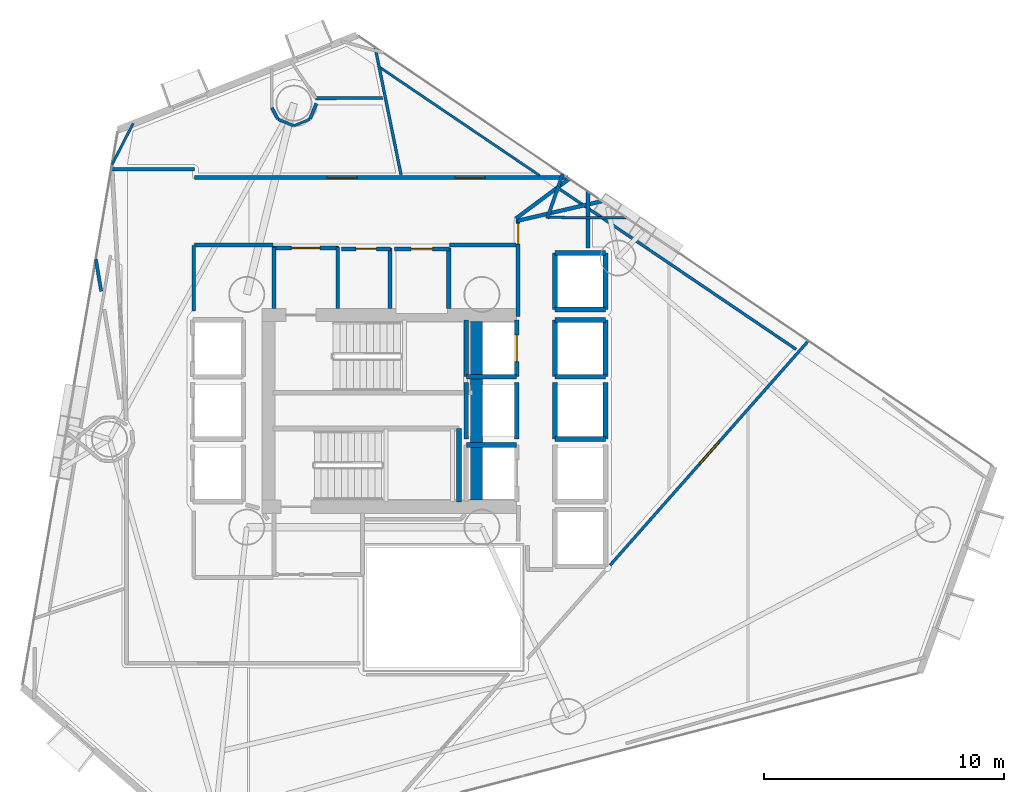
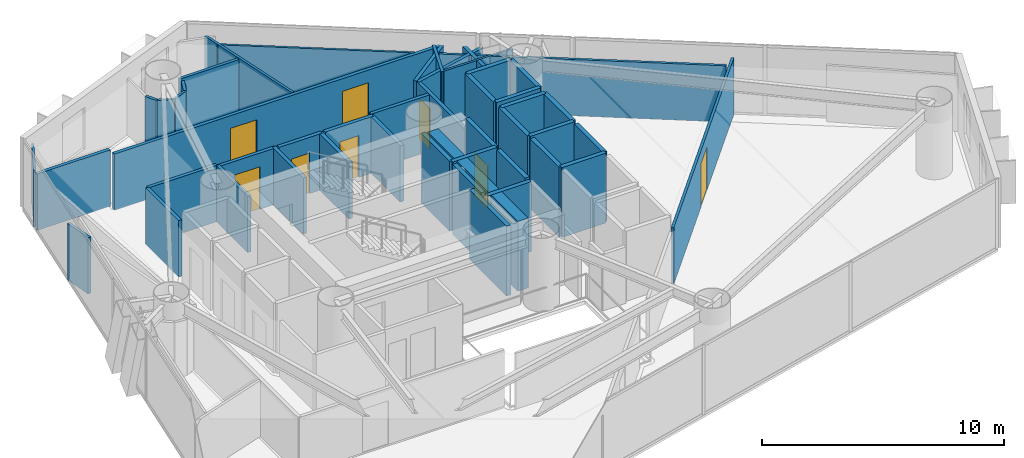
# One storey, part 17 of 21: 48 walls, 8 doors, 8 openings.
"""IFC4 building model written with IfcOpenShell, lengths in metres."""

from ifc_helpers import new_model, si_unit, direction, frame, frame_2d, origin, place, context, subcontext, project, spatial, rectangle, extrude, material, layer, layer_set, type_object, element, fill, save


model = new_model("IFC4")

# Units and contexts
model_context = context("Model", 3, precision=1e-05, world=origin(), true_north=direction((0.0, 1.0)))
body_context = subcontext(model_context, "Body", "Model", "MODEL_VIEW")
ifc_project = project(units=[si_unit("LENGTHUNIT", "METRE"), si_unit("AREAUNIT", "SQUARE_METRE"), si_unit("VOLUMEUNIT", "CUBIC_METRE"), si_unit("PLANEANGLEUNIT", "RADIAN"), si_unit("MASSUNIT", "GRAM", prefix="KILO")], contexts=[model_context])

# Site, building, storey
site_placement = place(None, origin())
site = spatial("IfcSite", under=ifc_project, at=site_placement, CompositionType="ELEMENT")
building_placement = place(site_placement, origin())
building = spatial("IfcBuilding", under=site, at=building_placement, Name="Qianvela Tower", CompositionType="ELEMENT")
storey_placement = place(building_placement, frame((0.0, 0.0, 108.89990234375)))
storey = spatial("IfcBuildingStorey", under=building, at=storey_placement, Name="L27", CompositionType="ELEMENT", Elevation=108.89990234375)

# Walls
ifc_material_1 = material(Name="Concrete C60", Category="concrete")
ifc_layer_1 = layer(ifc_material_1, 0.550048828125)
ifc_layer_set_1 = layer_set([ifc_layer_1], Name="Concrete C60")
wall_type_1 = type_object("IfcWallType", Name="WT-CORE-550", PredefinedType="SHEAR", material=ifc_layer_set_1)
wall_1_placement = place(storey_placement, frame((38.179931640625, 24.97998046875, 0.0), z_axis=(0.0, 0.0, 1.0), x_axis=(0.0, 1.0, 0.0)))
element("IfcWall", 1, at=wall_1_placement, inside=storey, type_object=wall_type_1, Name="L27 East Spine Core Shear Wall", PredefinedType="SHEAR", context=body_context, shape_type="SweptSolid", body=[
    extrude(rectangle(XDim=7.43994140625, YDim=0.5, at=frame_2d((3.719970703125, 0.0))), origin(), (0.0, 0.0, 1.0), 3.52001953125),
])
ifc_material_2 = material(Name="Fire-Rated Gypsum and Concrete Block", Category="concrete")
ifc_layer_2 = layer(ifc_material_2, 0.159912109375)
ifc_layer_set_2 = layer_set([ifc_layer_2], Name="Fire-Rated Gypsum and Concrete Block")
wall_type_2 = type_object("IfcWallType", Name="WT-CORR-160", PredefinedType="PARTITIONING", material=ifc_layer_set_2)
wall_2_placement = place(storey_placement, frame((29.73095703125, 32.9580078125, 0.0), z_axis=(0.0, 0.0, 1.0), x_axis=(0.0, 1.0, 0.0)))
element("IfcWall", 2, at=wall_2_placement, inside=storey, type_object=wall_type_2, Name="L27 Partition 2", PredefinedType="PARTITIONING", context=body_context, shape_type="SweptSolid", body=[
    extrude(rectangle(XDim=2.56201171875, YDim=0.159912109375, at=frame_2d((1.281005859375, 0.0))), origin(), (0.0, 0.0, 1.0), 2.840087890625),
])

# Wall, opening, door
wall_3_placement = place(storey_placement, frame((29.699951171875, 35.489013671875, 0.0), z_axis=(0.0, 0.0, 1.0), x_axis=(1.0, 0.0, 0.0)))
wall_3 = element("IfcWall", 3, at=wall_3_placement, inside=storey, type_object=wall_type_2, Name="L27 Partition 3", PredefinedType="PARTITIONING", context=body_context, shape_type="SweptSolid", body=[
    extrude(rectangle(XDim=2.719970703125, YDim=0.159912109375, at=frame_2d((1.35986328125, 0.0))), origin(), (0.0, 0.0, 1.0), 2.840087890625),
])
opening_1_placement = place(wall_3_placement, frame((0.760009765625, 0.0, 0.0)))
opening_1 = element("IfcOpeningElement", 4, at=opening_1_placement, cuts=wall_3, Name="Opening D-LB1", PredefinedType="OPENING", context=body_context, shape_type="SweptSolid", body=[
    extrude(rectangle(XDim=1.199951171875, YDim=2.14990234375, at=frame_2d((0.60009765625, 1.074951171875))), frame((0.0, 0.08984375, 0.0), z_axis=(0.0, -1.0, 0.0), x_axis=(1.0, 0.0, 0.0)), (0.0, 0.0, 1.0), 0.179931640625),
])
ifc_material_3 = material(Name="Glazed Fire-Rated Steel Frame", Category="steel")
door_type_1 = type_object("IfcDoorType", Name="DT-LOBBY-FD90", OperationType="NOTDEFINED", PredefinedType="DOOR", material=ifc_material_3)
door_1_placement = place(opening_1_placement, origin())
door_1 = element("IfcDoor", 5, at=door_1_placement, inside=storey, type_object=door_type_1, Name="L27 Door L27 Firefighting Lobby North to L27 Floor Corridor", OperationType="SINGLE_SWING_RIGHT", OverallHeight=2.14990234375, OverallWidth=1.199951171875, PredefinedType="DOOR", context=body_context, shape_type="SweptSolid", body=[
    extrude(rectangle(XDim=1.199951171875, YDim=2.14990234375, at=frame_2d((0.60009765625, 1.074951171875))), frame((0.0, 0.02490234375, 0.0), z_axis=(0.0, -1.0, 0.0), x_axis=(1.0, 0.0, 0.0)), (0.0, 0.0, 1.0), 0.050048828125),
])
fill(opening_1, door_1)

# Wall
wall_4_placement = place(storey_placement, frame((32.388916015625, 35.52001953125, 0.0), z_axis=(0.0, 0.0, 1.0), x_axis=(0.0, -1.0, 0.0)))
element("IfcWall", 6, at=wall_4_placement, inside=storey, type_object=wall_type_2, Name="L27 Partition 4", PredefinedType="PARTITIONING", context=body_context, shape_type="SweptSolid", body=[
    extrude(rectangle(XDim=2.56201171875, YDim=0.159912109375, at=frame_2d((1.281005859375, 0.0))), origin(), (0.0, 0.0, 1.0), 2.840087890625),
])

# Wall, opening, door
wall_5_placement = place(storey_placement, frame((39.910888671875, 32.639892578125, 0.0), z_axis=(0.0, 0.0, 1.0), x_axis=(0.0, 1.0, 0.0)))
wall_5 = element("IfcWall", 7, at=wall_5_placement, inside=storey, type_object=wall_type_2, Name="L27 Partition 10", PredefinedType="PARTITIONING", context=body_context, shape_type="SweptSolid", body=[
    extrude(rectangle(XDim=4.010009765625, YDim=0.159912109375, at=frame_2d((2.0048828125, 0.0))), origin(), (0.0, 0.0, 1.0), 2.840087890625),
])
opening_2_placement = place(wall_5_placement, frame((3.010009765625, 0.0, 0.0)))
opening_2 = element("IfcOpeningElement", 8, at=opening_2_placement, cuts=wall_5, Name="Opening D-LB2", PredefinedType="OPENING", context=body_context, shape_type="SweptSolid", body=[
    extrude(rectangle(XDim=0.860107421875, YDim=2.050048828125, at=frame_2d((0.43017578125, 1.02490234375))), frame((0.0, 0.08984375, 0.0), z_axis=(0.0, -1.0, 0.0), x_axis=(1.0, 0.0, 0.0)), (0.0, 0.0, 1.0), 0.179931640625),
])
ifc_material_4 = material(Name="Insulated Steel Fire Door Q355B", Category="steel")
door_type_2 = type_object("IfcDoorType", Name="DT-LOBBY-FD90-860", OperationType="NOTDEFINED", PredefinedType="DOOR", material=ifc_material_4)
door_2_placement = place(opening_2_placement, origin())
door_2 = element("IfcDoor", 9, at=door_2_placement, inside=storey, type_object=door_type_2, Name="L27 Door L27 Lift Lobby to L27 Floor Corridor", OperationType="SINGLE_SWING_LEFT", OverallHeight=2.050048828125, OverallWidth=0.860107421875, PredefinedType="DOOR", context=body_context, shape_type="SweptSolid", body=[
    extrude(rectangle(XDim=0.860107421875, YDim=2.050048828125, at=frame_2d((0.43017578125, 1.02490234375))), frame((0.0, 0.02490234375, 0.0), z_axis=(0.0, -1.0, 0.0), x_axis=(1.0, 0.0, 0.0)), (0.0, 0.0, 1.0), 0.050048828125),
])
fill(opening_2, door_2)

# Walls
wall_6_placement = place(storey_placement, frame((39.8798828125, 36.618896484375, 0.0), z_axis=(0.0, 0.0, 1.0), x_axis=(0.973960950435, 0.2267158288, 0.0)))
element("IfcWall", 10, at=wall_6_placement, inside=storey, type_object=wall_type_2, Name="L27 Partition 11", PredefinedType="PARTITIONING", context=body_context, shape_type="SweptSolid", body=[
    extrude(rectangle(XDim=3.620361328125, YDim=0.159912109375, at=frame_2d((1.81005859375, 0.0))), origin(), (0.0, 0.0, 1.0), 2.840087890625),
])
wall_7_placement = place(storey_placement, frame((42.819091796875, 37.857177734375, 0.0), z_axis=(0.0, 0.0, 1.0), x_axis=(0.0, -1.0, 0.0)))
element("IfcWall", 11, at=wall_7_placement, inside=storey, type_object=wall_type_2, Name="L27 Partition 12", PredefinedType="PARTITIONING", context=body_context, shape_type="SweptSolid", body=[
    extrude(rectangle(XDim=2.377197265625, YDim=0.159912109375, at=frame_2d((1.1884765625, 0.0))), origin(), (0.0, 0.0, 1.0), 2.840087890625),
])
wall_8_placement = place(storey_placement, frame((22.93359375, 38.76904296875, 0.0), z_axis=(0.0, 0.0, 1.0), x_axis=(1.0, 0.0, 0.0)))
element("IfcWall", 12, at=wall_8_placement, inside=storey, type_object=wall_type_2, Name="L27 Partition 41", PredefinedType="PARTITIONING", context=body_context, shape_type="SweptSolid", body=[
    extrude(rectangle(XDim=3.486328125, YDim=0.159912109375, at=frame_2d((1.7431640625, 0.0))), origin(), (0.0, 0.0, 1.0), 2.840087890625),
])

# Wall, openings, doors
wall_9_placement = place(storey_placement, frame((26.419921875, 38.4189453125, 0.0), z_axis=(0.0, 0.0, 1.0), x_axis=(1.0, 0.0, 0.0)))
wall_9 = element("IfcWall", 13, at=wall_9_placement, inside=storey, type_object=wall_type_2, Name="L27 Partition 42", PredefinedType="PARTITIONING", context=body_context, shape_type="SweptSolid", body=[
    extrude(rectangle(XDim=15.56005859375, YDim=0.159912109375, at=frame_2d((7.780029296875, 0.0))), origin(), (0.0, 0.0, 1.0), 2.840087890625),
])
opening_3_placement = place(wall_9_placement, frame((10.865478515625, 0.0, 0.0)))
opening_3 = element("IfcOpeningElement", 14, at=opening_3_placement, cuts=wall_9, Name="Opening D-LG1", PredefinedType="OPENING", context=body_context, shape_type="SweptSolid", body=[
    extrude(rectangle(XDim=1.25, YDim=2.199951171875, at=frame_2d((0.625, 1.10009765625))), frame((0.0, 0.08984375, 0.0), z_axis=(0.0, -1.0, 0.0), x_axis=(1.0, 0.0, 0.0)), (0.0, 0.0, 1.0), 0.179931640625),
])
opening_4_placement = place(wall_9_placement, frame((5.531982421875, 0.0, 0.0)))
opening_4 = element("IfcOpeningElement", 15, at=opening_4_placement, cuts=wall_9, Name="Opening D-LG1", PredefinedType="OPENING", context=body_context, shape_type="SweptSolid", body=[
    extrude(rectangle(XDim=1.25, YDim=2.199951171875, at=frame_2d((0.625, 1.10009765625))), frame((0.0, 0.08984375, 0.0), z_axis=(0.0, -1.0, 0.0), x_axis=(1.0, 0.0, 0.0)), (0.0, 0.0, 1.0), 0.179931640625),
])
ifc_material_5 = material(Name="Anodised Aluminium Acoustic Glass Door", Category="aluminium")
door_type_3 = type_object("IfcDoorType", Name="DT-LOUNGE-1250", OperationType="NOTDEFINED", PredefinedType="DOOR", material=ifc_material_5)
door_3_placement = place(opening_3_placement, origin())
door_3 = element("IfcDoor", 16, at=door_3_placement, inside=storey, type_object=door_type_3, Name="L27 Door Quiet Desk Workspace L27-02 to L27 Floor Corridor", OperationType="SINGLE_SWING_RIGHT", OverallHeight=2.199951171875, OverallWidth=1.25, PredefinedType="DOOR", context=body_context, shape_type="SweptSolid", body=[
    extrude(rectangle(XDim=1.25, YDim=2.199951171875, at=frame_2d((0.625, 1.10009765625))), frame((0.0, 0.02490234375, 0.0), z_axis=(0.0, -1.0, 0.0), x_axis=(1.0, 0.0, 0.0)), (0.0, 0.0, 1.0), 0.050048828125),
])
fill(opening_3, door_3)
door_4_placement = place(opening_4_placement, origin())
door_4 = element("IfcDoor", 17, at=door_4_placement, inside=storey, type_object=door_type_3, Name="L27 Door Academic Cellular Office L27-03 to L27 Floor Corridor", OperationType="SINGLE_SWING_LEFT", OverallHeight=2.199951171875, OverallWidth=1.25, PredefinedType="DOOR", context=body_context, shape_type="SweptSolid", body=[
    extrude(rectangle(XDim=1.25, YDim=2.199951171875, at=frame_2d((0.625, 1.10009765625))), frame((0.0, 0.02490234375, 0.0), z_axis=(0.0, -1.0, 0.0), x_axis=(1.0, 0.0, 0.0)), (0.0, 0.0, 1.0), 0.050048828125),
])
fill(opening_4, door_4)

# Walls
wall_10_placement = place(storey_placement, frame((42.05322265625, 38.378662109375, 0.0), z_axis=(0.0, 0.0, 1.0), x_axis=(-0.802246834953, -0.596992475504, 0.0)))
element("IfcWall", 18, at=wall_10_placement, inside=storey, type_object=wall_type_2, Name="L27 Partition 44", PredefinedType="PARTITIONING", context=body_context, shape_type="SweptSolid", body=[
    extrude(rectangle(XDim=2.79638671875, YDim=0.159912109375, at=frame_2d((1.398193359375, 0.0))), origin(), (0.0, 0.0, 1.0), 2.840087890625),
])
wall_11_placement = place(storey_placement, frame((39.818115234375, 35.611083984375, 0.0), z_axis=(0.0, 0.0, 1.0), x_axis=(-1.0, 0.0, 0.0)))
element("IfcWall", 19, at=wall_11_placement, inside=storey, type_object=wall_type_2, Name="L27 Partition 46 seg 1", PredefinedType="PARTITIONING", context=body_context, shape_type="SweptSolid", body=[
    extrude(rectangle(XDim=2.76806640625, YDim=0.159912109375, at=frame_2d((1.384033203125, 0.0))), origin(), (0.0, 0.0, 1.0), 2.840087890625),
])
wall_12_placement = place(storey_placement, frame((29.699951171875, 35.611083984375, 0.0), z_axis=(0.0, 0.0, 1.0), x_axis=(-1.0, 0.0, 0.0)))
element("IfcWall", 20, at=wall_12_placement, inside=storey, type_object=wall_type_2, Name="L27 Partition 46 seg 4", PredefinedType="PARTITIONING", context=body_context, shape_type="SweptSolid", body=[
    extrude(rectangle(XDim=3.280029296875, YDim=0.159912109375, at=frame_2d((1.64013671875, 0.0))), origin(), (0.0, 0.0, 1.0), 2.840087890625),
])
wall_13_placement = place(storey_placement, frame((26.388916015625, 35.580078125, 0.0), z_axis=(0.0, 0.0, 1.0), x_axis=(0.0, -1.0, 0.0)))
element("IfcWall", 21, at=wall_13_placement, inside=storey, type_object=wall_type_2, Name="L27 Partition 47", PredefinedType="PARTITIONING", context=body_context, shape_type="SweptSolid", body=[
    extrude(rectangle(XDim=2.71044921875, YDim=0.159912109375, at=frame_2d((1.355224609375, 0.0))), origin(), (0.0, 0.0, 1.0), 2.840087890625),
])
ifc_material_6 = material(Name="Lightweight Gypsum Room Partition")
ifc_layer_3 = layer(ifc_material_6, 0.10498046875)
ifc_layer_set_3 = layer_set([ifc_layer_3], Name="Lightweight Gypsum Room Partition")
wall_type_3 = type_object("IfcWallType", Name="WT-PART-105", PredefinedType="PARTITIONING", material=ifc_layer_set_3)
wall_14_placement = place(storey_placement, frame((44.45361328125, 36.743408203125, 0.0), z_axis=(0.0, 0.0, 1.0), x_axis=(-0.999986322379, 0.005230205958, 0.0)))
element("IfcWall", 22, at=wall_14_placement, inside=storey, type_object=wall_type_3, Name="L27 Partition 77", PredefinedType="PARTITIONING", context=body_context, shape_type="SweptSolid", body=[
    extrude(rectangle(XDim=3.36083984375, YDim=0.10498046875, at=frame_2d((1.680419921875, 0.0))), origin(), (0.0, 0.0, 1.0), 2.840087890625),
])
wall_15_placement = place(storey_placement, frame((34.05224609375, 43.079833984375, 0.0), z_axis=(0.0, 0.0, 1.0), x_axis=(0.827934826591, -0.560824324471, 0.0)))
element("IfcWall", 23, at=wall_15_placement, inside=storey, type_object=wall_type_3, Name="L27 Partition 83", PredefinedType="PARTITIONING", context=body_context, shape_type="SweptSolid", body=[
    extrude(rectangle(XDim=8.158447265625, YDim=0.10498046875, at=frame_2d((4.0791015625, 0.0))), origin(), (0.0, 0.0, 1.0), 2.840087890625),
])
wall_16_placement = place(storey_placement, frame((22.988037109375, 38.96826171875, 0.0), z_axis=(0.0, 0.0, 1.0), x_axis=(0.456105833623, 0.889925541006, 0.0)))
element("IfcWall", 24, at=wall_16_placement, inside=storey, type_object=wall_type_3, Name="L27 Partition 86", PredefinedType="PARTITIONING", context=body_context, shape_type="SweptSolid", body=[
    extrude(rectangle(XDim=1.927978515625, YDim=0.10498046875, at=frame_2d((0.9638671875, 0.0))), origin(), (0.0, 0.0, 1.0), 2.840087890625),
])
wall_17_placement = place(storey_placement, frame((30.575927734375, 40.58251953125, 0.0), z_axis=(0.0, 0.0, 1.0), x_axis=(0.923935648299, 0.382547928764, 0.0)))
element("IfcWall", 25, at=wall_17_placement, inside=storey, type_object=wall_type_3, Name="L27 Partition 98", PredefinedType="PARTITIONING", context=body_context, shape_type="SweptSolid", body=[
    extrude(rectangle(XDim=0.6962890625, YDim=0.10498046875, at=frame_2d((0.34814453125, 0.0))), origin(), (0.0, 0.0, 1.0), 2.840087890625),
])

# Wall, opening, door
ifc_material_7 = material(Name="Insulated Gypsum Stud Partition")
ifc_layer_4 = layer(ifc_material_7, 0.1201171875)
ifc_layer_set_4 = layer_set([ifc_layer_4], Name="Insulated Gypsum Stud Partition")
wall_type_4 = type_object("IfcWallType", Name="WT-PART-120", PredefinedType="PARTITIONING", material=ifc_layer_set_4)
wall_18_placement = place(storey_placement, frame((43.74267578125, 22.263916015625, 0.0), z_axis=(0.0, 0.0, 1.0), x_axis=(0.662202897959, 0.749324577159, 0.0)))
wall_18 = element("IfcWall", 26, at=wall_18_placement, inside=storey, type_object=wall_type_4, Name="L27 Partition 64", PredefinedType="PARTITIONING", context=body_context, shape_type="SweptSolid", body=[
    extrude(rectangle(XDim=12.498291015625, YDim=0.1201171875, at=frame_2d((6.2490234375, 0.0))), origin(), (0.0, 0.0, 1.0), 2.840087890625),
])
opening_5_placement = place(wall_18_placement, frame((5.6240234375, 0.0, 0.0)))
opening_5 = element("IfcOpeningElement", 27, at=opening_5_placement, cuts=wall_18, Name="Opening D-LG1", PredefinedType="OPENING", context=body_context, shape_type="SweptSolid", body=[
    extrude(rectangle(XDim=1.25, YDim=2.199951171875, at=frame_2d((0.625, 1.10009765625))), frame((0.0, 0.070068359375, 0.0), z_axis=(0.0, -1.0, 0.0), x_axis=(1.0, 0.0, 0.0)), (0.0, 0.0, 1.0), 0.14013671875),
])
door_5_placement = place(opening_5_placement, origin())
door_5 = element("IfcDoor", 28, at=door_5_placement, inside=storey, type_object=door_type_3, Name="L27 Door Academic Cellular Office L27-01C to Quiet Desk Workspace L27-01B", OperationType="SINGLE_SWING_RIGHT", OverallHeight=2.199951171875, OverallWidth=1.25, PredefinedType="DOOR", context=body_context, shape_type="SweptSolid", body=[
    extrude(rectangle(XDim=1.25, YDim=2.199951171875, at=frame_2d((0.625, 1.10009765625))), frame((0.0, 0.02490234375, 0.0), z_axis=(0.0, -1.0, 0.0), x_axis=(1.0, 0.0, 0.0)), (0.0, 0.0, 1.0), 0.050048828125),
])
fill(opening_5, door_5)

# Walls
wall_19_placement = place(storey_placement, frame((41.650146484375, 37.93310546875, 0.0), z_axis=(0.0, 0.0, 1.0), x_axis=(0.827941747022, -0.560814107827, 0.0)))
element("IfcWall", 29, at=wall_19_placement, inside=storey, type_object=wall_type_4, Name="L27 Partition 79", PredefinedType="PARTITIONING", context=body_context, shape_type="SweptSolid", body=[
    extrude(rectangle(XDim=11.89501953125, YDim=0.1201171875, at=frame_2d((5.947509765625, 0.0))), origin(), (0.0, 0.0, 1.0), 2.840087890625),
])
wall_20_placement = place(storey_placement, frame((35.029052734375, 38.5361328125, 0.0), z_axis=(0.0, 0.0, 1.0), x_axis=(-0.198965568746, 0.980006480822, 0.0)))
element("IfcWall", 30, at=wall_20_placement, inside=storey, type_object=wall_type_4, Name="L27 Partition 82", PredefinedType="PARTITIONING", context=body_context, shape_type="SweptSolid", body=[
    extrude(rectangle(XDim=5.435791015625, YDim=0.1201171875, at=frame_2d((2.7177734375, 0.0))), origin(), (0.0, 0.0, 1.0), 2.840087890625),
])
wall_21_placement = place(storey_placement, frame((29.90869140625, 40.848876953125, 0.0), z_axis=(0.0, 0.0, 1.0), x_axis=(0.923935648299, -0.382547928764, 0.0)))
element("IfcWall", 31, at=wall_21_placement, inside=storey, type_object=wall_type_4, Name="L27 Partition 97", PredefinedType="PARTITIONING", context=body_context, shape_type="SweptSolid", body=[
    extrude(rectangle(XDim=0.6962890625, YDim=0.1201171875, at=frame_2d((0.34814453125, 0.0))), origin(), (0.0, 0.0, 1.0), 2.840087890625),
])

# Wall, opening, door
ifc_material_8 = material(Name="Moisture-Resistant Acoustic Plumbing Wall")
ifc_layer_5 = layer(ifc_material_8, 0.175048828125)
ifc_layer_set_5 = layer_set([ifc_layer_5], Name="Moisture-Resistant Acoustic Plumbing Wall")
wall_type_5 = type_object("IfcWallType", Name="WT-PLUMB-175", PredefinedType="PLUMBINGWALL", material=ifc_layer_set_5)
wall_22_placement = place(storey_placement, frame((32.550048828125, 35.448974609375, 0.0), z_axis=(0.0, 0.0, 1.0), x_axis=(1.0, 0.0, 0.0)))
wall_22 = element("IfcWall", 32, at=wall_22_placement, inside=storey, type_object=wall_type_5, Name="L27 Partition 20", PredefinedType="PLUMBINGWALL", context=body_context, shape_type="SweptSolid", body=[
    extrude(rectangle(XDim=2.050048828125, YDim=0.175048828125, at=frame_2d((1.02490234375, 0.0))), origin(), (0.0, 0.0, 1.0), 2.840087890625),
])
opening_6_placement = place(wall_22_placement, frame((0.594970703125, 0.0, 0.0)))
opening_6 = element("IfcOpeningElement", 33, at=opening_6_placement, cuts=wall_22, Name="Opening D-WC1", PredefinedType="OPENING", context=body_context, shape_type="SweptSolid", body=[
    extrude(rectangle(XDim=0.860107421875, YDim=2.050048828125, at=frame_2d((0.43017578125, 1.02490234375))), frame((0.0, 0.097412109375, 0.0), z_axis=(0.0, -1.0, 0.0), x_axis=(1.0, 0.0, 0.0)), (0.0, 0.0, 1.0), 0.195068359375),
])
ifc_material_9 = material(Name="Moisture-Sealed Acoustic Timber Door", Category="wood")
door_type_4 = type_object("IfcDoorType", Name="DT-WC-860", OperationType="NOTDEFINED", PredefinedType="DOOR", material=ifc_material_9)
door_6_placement = place(opening_6_placement, origin())
door_6 = element("IfcDoor", 34, at=door_6_placement, inside=storey, type_object=door_type_4, Name="L27 Door L27 Accessible WC to L27 Floor Corridor", OperationType="SINGLE_SWING_RIGHT", OverallHeight=2.050048828125, OverallWidth=0.860107421875, PredefinedType="DOOR", context=body_context, shape_type="SweptSolid", body=[
    extrude(rectangle(XDim=0.860107421875, YDim=2.050048828125, at=frame_2d((0.43017578125, 1.02490234375))), frame((0.0, 0.02490234375, 0.0), z_axis=(0.0, -1.0, 0.0), x_axis=(1.0, 0.0, 0.0)), (0.0, 0.0, 1.0), 0.050048828125),
])
fill(opening_6, door_6)

# Wall
wall_23_placement = place(storey_placement, frame((34.569091796875, 35.47998046875, 0.0), z_axis=(0.0, 0.0, 1.0), x_axis=(0.0, -1.0, 0.0)))
element("IfcWall", 35, at=wall_23_placement, inside=storey, type_object=wall_type_5, Name="L27 Partition 21", PredefinedType="PLUMBINGWALL", context=body_context, shape_type="SweptSolid", body=[
    extrude(rectangle(XDim=2.52197265625, YDim=0.175048828125, at=frame_2d((1.260986328125, 0.0))), origin(), (0.0, 0.0, 1.0), 2.840087890625),
])

# Wall, opening, door
wall_24_placement = place(storey_placement, frame((34.75, 35.448974609375, 0.0), z_axis=(0.0, 0.0, 1.0), x_axis=(1.0, 0.0, 0.0)))
wall_24 = element("IfcWall", 36, at=wall_24_placement, inside=storey, type_object=wall_type_5, Name="L27 Partition 24", PredefinedType="PLUMBINGWALL", context=body_context, shape_type="SweptSolid", body=[
    extrude(rectangle(XDim=2.300048828125, YDim=0.175048828125, at=frame_2d((1.14990234375, 0.0))), origin(), (0.0, 0.0, 1.0), 2.840087890625),
])
opening_7_placement = place(wall_24_placement, frame((0.699951171875, 0.0, 0.0)))
opening_7 = element("IfcOpeningElement", 37, at=opening_7_placement, cuts=wall_24, Name="Opening D-KT1", PredefinedType="OPENING", context=body_context, shape_type="SweptSolid", body=[
    extrude(rectangle(XDim=0.89990234375, YDim=2.10009765625, at=frame_2d((0.449951171875, 1.050048828125))), frame((0.0, 0.097412109375, 0.0), z_axis=(0.0, -1.0, 0.0), x_axis=(1.0, 0.0, 0.0)), (0.0, 0.0, 1.0), 0.195068359375),
])
ifc_material_10 = material(Name="Glazed Timber Kitchen Door", Category="wood")
door_type_5 = type_object("IfcDoorType", Name="DT-KITCH-900", OperationType="NOTDEFINED", PredefinedType="DOOR", material=ifc_material_10)
door_7_placement = place(opening_7_placement, origin())
door_7 = element("IfcDoor", 38, at=door_7_placement, inside=storey, type_object=door_type_5, Name="L27 Door L27 Core Tea Pantry to L27 Floor Corridor", OperationType="SINGLE_SWING_LEFT", OverallHeight=2.10009765625, OverallWidth=0.89990234375, PredefinedType="DOOR", context=body_context, shape_type="SweptSolid", body=[
    extrude(rectangle(XDim=0.89990234375, YDim=2.10009765625, at=frame_2d((0.449951171875, 1.050048828125))), frame((0.0, 0.02490234375, 0.0), z_axis=(0.0, -1.0, 0.0), x_axis=(1.0, 0.0, 0.0)), (0.0, 0.0, 1.0), 0.050048828125),
])
fill(opening_7, door_7)

# Walls
wall_25_placement = place(storey_placement, frame((37.01904296875, 35.47998046875, 0.0), z_axis=(0.0, 0.0, 1.0), x_axis=(0.0, -1.0, 0.0)))
element("IfcWall", 39, at=wall_25_placement, inside=storey, type_object=wall_type_5, Name="L27 Partition 25", PredefinedType="PLUMBINGWALL", context=body_context, shape_type="SweptSolid", body=[
    extrude(rectangle(XDim=2.52197265625, YDim=0.175048828125, at=frame_2d((1.260986328125, 0.0))), origin(), (0.0, 0.0, 1.0), 2.840087890625),
])
ifc_material_11 = material(Name="Acoustic Double Gypsum Stud Partition")
ifc_layer_6 = layer(ifc_material_11, 0.139892578125)
ifc_layer_set_6 = layer_set([ifc_layer_6], Name="Acoustic Double Gypsum Stud Partition")
wall_type_6 = type_object("IfcWallType", Name="WT-ROOM-140", PredefinedType="PARTITIONING", material=ifc_layer_set_6)
wall_26_placement = place(storey_placement, frame((41.121826171875, 36.7197265625, 0.0), z_axis=(0.0, 0.0, 1.0), x_axis=(0.329225111587, 0.944251463277, 0.0)))
element("IfcWall", 40, at=wall_26_placement, inside=storey, type_object=wall_type_6, Name="L27 Partition 78", PredefinedType="PARTITIONING", context=body_context, shape_type="SweptSolid", body=[
    extrude(rectangle(XDim=1.962158203125, YDim=0.139892578125, at=frame_2d((0.98095703125, 0.0))), origin(), (0.0, 0.0, 1.0), 2.840087890625),
])
wall_27_placement = place(storey_placement, frame((34.267333984375, 41.739990234375, 0.0), z_axis=(0.0, 0.0, 1.0), x_axis=(-0.999996830361, -0.002517790248, 0.0)))
element("IfcWall", 41, at=wall_27_placement, inside=storey, type_object=wall_type_6, Name="L27 Partition 90", PredefinedType="PARTITIONING", context=body_context, shape_type="SweptSolid", body=[
    extrude(rectangle(XDim=2.81201171875, YDim=0.139892578125, at=frame_2d((1.406005859375, 0.0))), origin(), (0.0, 0.0, 1.0), 2.840087890625),
])
wall_28_placement = place(storey_placement, frame((29.64404296875, 41.328857421875, 0.0), z_axis=(0.0, 0.0, 1.0), x_axis=(0.471618839574, -0.881802511994, 0.0)))
element("IfcWall", 42, at=wall_28_placement, inside=storey, type_object=wall_type_6, Name="L27 Partition 96", PredefinedType="PARTITIONING", context=body_context, shape_type="SweptSolid", body=[
    extrude(rectangle(XDim=0.528564453125, YDim=0.139892578125, at=frame_2d((0.26416015625, 0.0))), origin(), (0.0, 0.0, 1.0), 2.840087890625),
])
wall_29_placement = place(storey_placement, frame((31.236083984375, 40.86572265625, 0.0), z_axis=(0.0, 0.0, 1.0), x_axis=(0.381929177829, 0.92419159438, 0.0)))
element("IfcWall", 43, at=wall_29_placement, inside=storey, type_object=wall_type_6, Name="L27 Partition 99", PredefinedType="PARTITIONING", context=body_context, shape_type="SweptSolid", body=[
    extrude(rectangle(XDim=0.697509765625, YDim=0.139892578125, at=frame_2d((0.3486328125, 0.0))), origin(), (0.0, 0.0, 1.0), 2.840087890625),
])
wall_30_placement = place(storey_placement, frame((22.308349609375, 35.017333984375, 0.0), z_axis=(0.0, 0.0, 1.0), x_axis=(0.166093075261, -0.98611008024, 0.0)))
element("IfcWall", 44, at=wall_30_placement, inside=storey, type_object=wall_type_6, Name="L27 Partition 114 seg 1 trim 1", PredefinedType="PARTITIONING", context=body_context, shape_type="SweptSolid", body=[
    extrude(rectangle(XDim=1.355224609375, YDim=0.139892578125, at=frame_2d((0.677734375, 0.0))), origin(), (0.0, 0.0, 1.0), 2.840087890625),
])
ifc_material_12 = material(Name="Concrete C50", Category="concrete")
ifc_layer_7 = layer(ifc_material_12, 0.199951171875)
ifc_layer_set_7 = layer_set([ifc_layer_7], Name="Concrete C50")
wall_type_7 = type_object("IfcWallType", Name="WT-SHAFT-200", PredefinedType="SOLIDWALL", material=ifc_layer_set_7)
wall_31_placement = place(storey_placement, frame((37.449951171875, 24.89990234375, 0.0), z_axis=(0.0, 0.0, 1.0), x_axis=(0.0, 1.0, 0.0)))
element("IfcWall", 45, at=wall_31_placement, inside=storey, type_object=wall_type_7, Name="L27 Stair ST-2 East Wall", PredefinedType="SOLIDWALL", context=body_context, shape_type="SweptSolid", body=[
    extrude(rectangle(XDim=3.06005859375, YDim=0.199951171875, at=frame_2d((1.530029296875, 0.0))), origin(), (0.0, 0.0, 1.0), 3.52001953125),
])

# Wall, opening, door
wall_32_placement = place(storey_placement, frame((39.85009765625, 30.1201171875, 0.0), z_axis=(0.0, 0.0, 1.0), x_axis=(0.0, 1.0, 0.0)))
wall_32 = element("IfcWall", 46, at=wall_32_placement, inside=storey, type_object=wall_type_7, Name="L27 Lift FL-1 E Shaft Wall", PredefinedType="SOLIDWALL", context=body_context, shape_type="SweptSolid", body=[
    extrude(rectangle(XDim=2.35986328125, YDim=0.199951171875, at=frame_2d((1.179931640625, 0.0))), origin(), (0.0, 0.0, 1.0), 3.52001953125),
])
opening_8_placement = place(wall_32_placement, frame((0.6298828125, 0.0, 0.0)))
opening_8 = element("IfcOpeningElement", 47, at=opening_8_placement, cuts=wall_32, Name="Opening LD-01", PredefinedType="OPENING", context=body_context, shape_type="SweptSolid", body=[
    extrude(rectangle(XDim=1.10009765625, YDim=2.14990234375, at=frame_2d((0.550048828125, 1.074951171875))), frame((0.0, 0.10986328125, 0.0), z_axis=(0.0, -1.0, 0.0), x_axis=(1.0, 0.0, 0.0)), (0.0, 0.0, 1.0), 0.219970703125),
])
ifc_material_13 = material(Name="Brushed Stainless Steel Lift Landing Door", Category="steel")
door_type_6 = type_object("IfcDoorType", Name="DT-LIFT-SLIDE-1100", OperationType="SLIDING_TO_LEFT", PredefinedType="DOOR", material=ifc_material_13)
door_8_placement = place(opening_8_placement, origin())
door_8 = element("IfcDoor", 48, at=door_8_placement, inside=storey, type_object=door_type_6, Name="L27 Lift FL-1 Sliding Landing Door", OperationType="SLIDING_TO_LEFT", OverallHeight=2.14990234375, OverallWidth=1.10009765625, PredefinedType="DOOR", context=body_context, shape_type="SweptSolid", body=[
    extrude(rectangle(XDim=1.10009765625, YDim=2.14990234375, at=frame_2d((0.550048828125, 1.074951171875))), frame((0.0, 0.02490234375, 0.0), z_axis=(0.0, -1.0, 0.0), x_axis=(1.0, 0.0, 0.0)), (0.0, 0.0, 1.0), 0.050048828125),
])
fill(opening_8, door_8)

# Walls
wall_33_placement = place(storey_placement, frame((37.75, 30.1201171875, 0.0), z_axis=(0.0, 0.0, 1.0), x_axis=(0.0, 1.0, 0.0)))
element("IfcWall", 49, at=wall_33_placement, inside=storey, type_object=wall_type_7, Name="L27 Lift FL-1 W Shaft Wall", PredefinedType="SOLIDWALL", context=body_context, shape_type="SweptSolid", body=[
    extrude(rectangle(XDim=2.35986328125, YDim=0.199951171875, at=frame_2d((1.179931640625, 0.0))), origin(), (0.0, 0.0, 1.0), 3.52001953125),
])
for number, where, z_axis, x_axis, name in (
    (50, (37.75, 30.1201171875, 0.0), (0.0, 0.0, 1.0), (1.0, 0.0, 0.0), "L27 Lift FL-1 S Shaft Wall"),
    (51, (37.75, 27.280029296875, 0.0), (0.0, 0.0, 1.0), (1.0, 0.0, 0.0), "L27 Lift FL-2 N Shaft Wall"),
):
    element("IfcWall", number, at=place(storey_placement, frame(where, z_axis=z_axis, x_axis=x_axis)), inside=storey, type_object=wall_type_7, Name=name, PredefinedType="SOLIDWALL", context=body_context, shape_type="SweptSolid", body=[
        extrude(rectangle(XDim=2.10009765625, YDim=0.199951171875, at=frame_2d((1.050048828125, 0.0))), origin(), (0.0, 0.0, 1.0), 3.52001953125),
    ])
for number, where, z_axis, x_axis, name in (
    (52, (43.550048828125, 30.1201171875, 0.0), (0.0, 0.0, 1.0), (0.0, 1.0, 0.0), "L27 Lift PL-M1 E Shaft Wall"),
    (53, (41.449951171875, 30.1201171875, 0.0), (0.0, 0.0, 1.0), (0.0, 1.0, 0.0), "L27 Lift PL-M1 W Shaft Wall"),
):
    element("IfcWall", number, at=place(storey_placement, frame(where, z_axis=z_axis, x_axis=x_axis)), inside=storey, type_object=wall_type_7, Name=name, PredefinedType="SOLIDWALL", context=body_context, shape_type="SweptSolid", body=[
        extrude(rectangle(XDim=2.35986328125, YDim=0.199951171875, at=frame_2d((1.179931640625, 0.0))), origin(), (0.0, 0.0, 1.0), 3.52001953125),
    ])
for number, where, z_axis, x_axis, name in (
    (54, (41.449951171875, 32.47998046875, 0.0), (0.0, 0.0, 1.0), (1.0, 0.0, 0.0), "L27 Lift PL-M1 N Shaft Wall"),
    (55, (41.449951171875, 30.1201171875, 0.0), (0.0, 0.0, 1.0), (1.0, 0.0, 0.0), "L27 Lift PL-M1 S Shaft Wall"),
):
    element("IfcWall", number, at=place(storey_placement, frame(where, z_axis=z_axis, x_axis=x_axis)), inside=storey, type_object=wall_type_7, Name=name, PredefinedType="SOLIDWALL", context=body_context, shape_type="SweptSolid", body=[
        extrude(rectangle(XDim=2.10009765625, YDim=0.199951171875, at=frame_2d((1.050048828125, 0.0))), origin(), (0.0, 0.0, 1.0), 3.52001953125),
    ])
for number, where, z_axis, x_axis, name in (
    (56, (43.550048828125, 27.52001953125, 0.0), (0.0, 0.0, 1.0), (0.0, 1.0, 0.0), "L27 Lift PL-M2 E Shaft Wall"),
    (57, (41.449951171875, 27.52001953125, 0.0), (0.0, 0.0, 1.0), (0.0, 1.0, 0.0), "L27 Lift PL-M2 W Shaft Wall"),
):
    element("IfcWall", number, at=place(storey_placement, frame(where, z_axis=z_axis, x_axis=x_axis)), inside=storey, type_object=wall_type_7, Name=name, PredefinedType="SOLIDWALL", context=body_context, shape_type="SweptSolid", body=[
        extrude(rectangle(XDim=2.35986328125, YDim=0.199951171875, at=frame_2d((1.179931640625, 0.0))), origin(), (0.0, 0.0, 1.0), 3.52001953125),
    ])
wall_34_placement = place(storey_placement, frame((41.449951171875, 27.52001953125, 0.0), z_axis=(0.0, 0.0, 1.0), x_axis=(1.0, 0.0, 0.0)))
element("IfcWall", 58, at=wall_34_placement, inside=storey, type_object=wall_type_7, Name="L27 Lift PL-M2 S Shaft Wall", PredefinedType="SOLIDWALL", context=body_context, shape_type="SweptSolid", body=[
    extrude(rectangle(XDim=2.10009765625, YDim=0.199951171875, at=frame_2d((1.050048828125, 0.0))), origin(), (0.0, 0.0, 1.0), 3.52001953125),
])
for number, where, z_axis, x_axis, name in (
    (59, (39.85009765625, 27.52001953125, 0.0), (0.0, 0.0, 1.0), (0.0, 1.0, 0.0), "L27 Lift PL-H1 E Shaft Wall"),
    (60, (37.75, 27.52001953125, 0.0), (0.0, 0.0, 1.0), (0.0, 1.0, 0.0), "L27 Lift PL-H1 W Shaft Wall"),
):
    element("IfcWall", number, at=place(storey_placement, frame(where, z_axis=z_axis, x_axis=x_axis)), inside=storey, type_object=wall_type_7, Name=name, PredefinedType="SOLIDWALL", context=body_context, shape_type="SweptSolid", body=[
        extrude(rectangle(XDim=2.35986328125, YDim=0.199951171875, at=frame_2d((1.179931640625, 0.0))), origin(), (0.0, 0.0, 1.0), 3.52001953125),
    ])
for number, where, z_axis, x_axis, name in (
    (61, (43.550048828125, 32.919921875, 0.0), (0.0, 0.0, 1.0), (0.0, 1.0, 0.0), "L27 Lift PL-H3 E Shaft Wall"),
    (62, (41.449951171875, 32.919921875, 0.0), (0.0, 0.0, 1.0), (0.0, 1.0, 0.0), "L27 Lift PL-H3 W Shaft Wall"),
):
    element("IfcWall", number, at=place(storey_placement, frame(where, z_axis=z_axis, x_axis=x_axis)), inside=storey, type_object=wall_type_7, Name=name, PredefinedType="SOLIDWALL", context=body_context, shape_type="SweptSolid", body=[
        extrude(rectangle(XDim=2.360107421875, YDim=0.199951171875, at=frame_2d((1.18017578125, 0.0))), origin(), (0.0, 0.0, 1.0), 3.52001953125),
    ])
for number, where, z_axis, x_axis, name in (
    (63, (41.449951171875, 35.280029296875, 0.0), (0.0, 0.0, 1.0), (1.0, 0.0, 0.0), "L27 Lift PL-H3 N Shaft Wall"),
    (64, (41.449951171875, 32.919921875, 0.0), (0.0, 0.0, 1.0), (1.0, 0.0, 0.0), "L27 Lift PL-H3 S Shaft Wall"),
):
    element("IfcWall", number, at=place(storey_placement, frame(where, z_axis=z_axis, x_axis=x_axis)), inside=storey, type_object=wall_type_7, Name=name, PredefinedType="SOLIDWALL", context=body_context, shape_type="SweptSolid", body=[
        extrude(rectangle(XDim=2.10009765625, YDim=0.199951171875, at=frame_2d((1.050048828125, 0.0))), origin(), (0.0, 0.0, 1.0), 3.52001953125),
    ])

save(model, "model.ifc")
